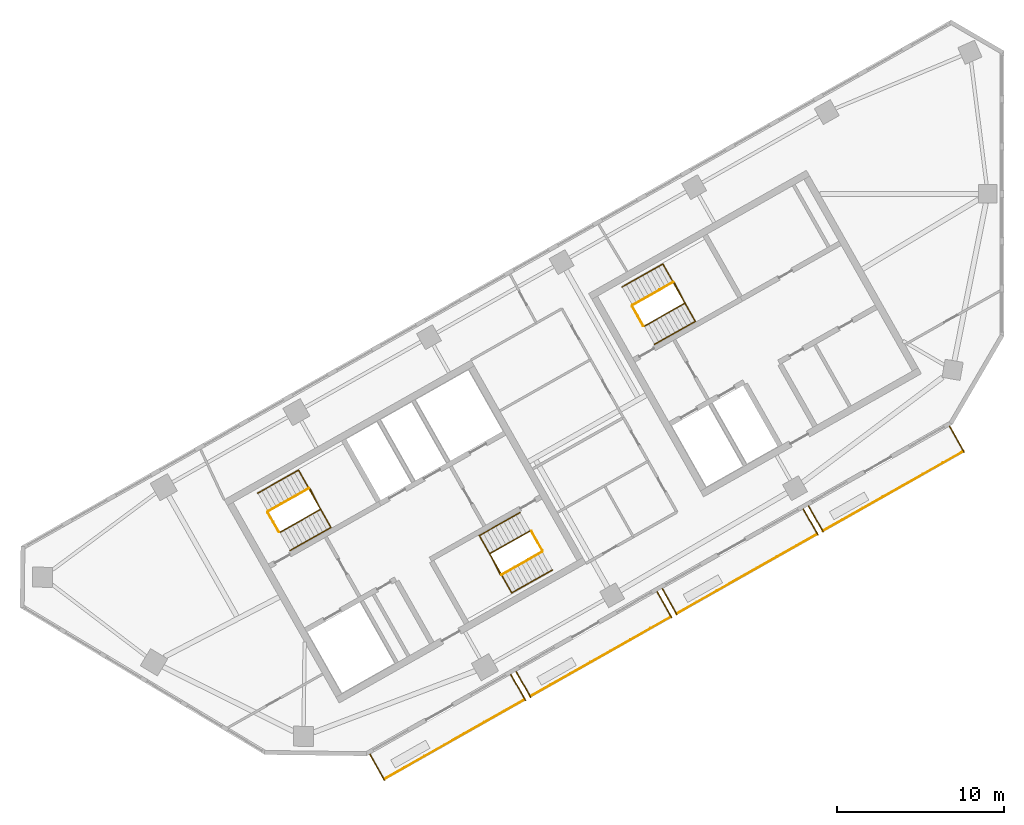
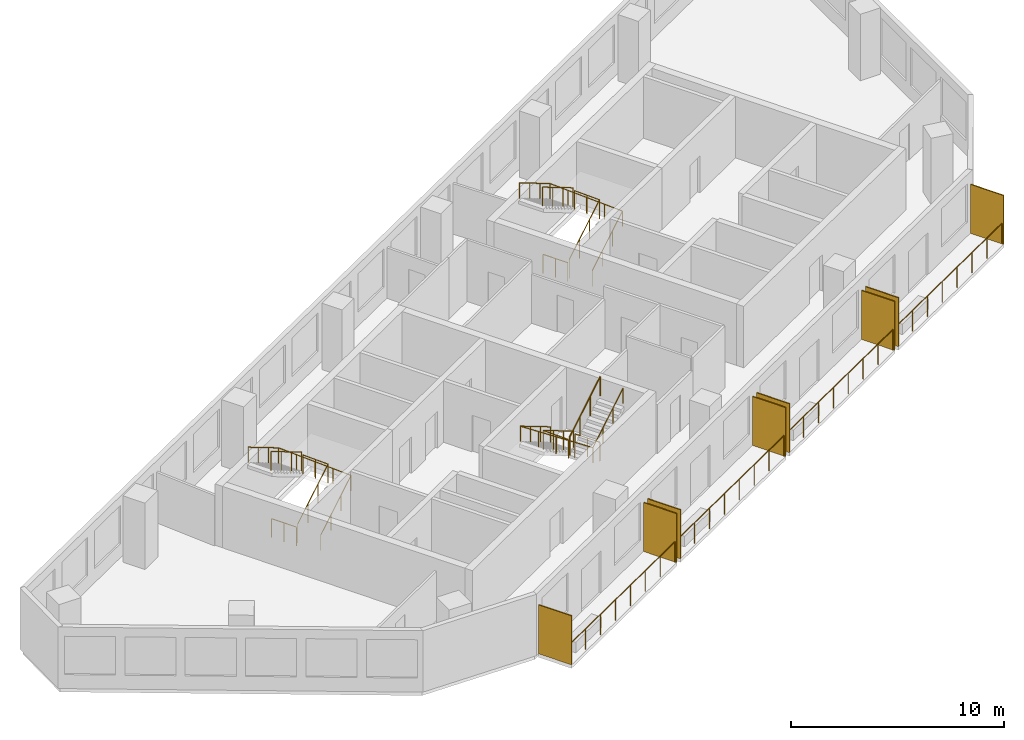
# One storey, part 6 of 7: 16 railings, 8 shading devices.
"""IFC4 building model written with IfcOpenShell, lengths in metres."""

from ifc_helpers import new_model, si_unit, direction, frame, origin, origin_2d, place, context, subcontext, project, spatial, rectangle, circle, extrude, material, layer, layer_set, type_object, element, save


model = new_model("IFC4")

# Units and contexts
model_context = context("Model", 3, precision=1e-05, world=origin(), true_north=direction((0.0, 1.0)))
body_context = subcontext(model_context, "Body", "Model", "MODEL_VIEW")
ifc_project = project(units=[si_unit("LENGTHUNIT", "METRE"), si_unit("AREAUNIT", "SQUARE_METRE"), si_unit("VOLUMEUNIT", "CUBIC_METRE"), si_unit("PLANEANGLEUNIT", "RADIAN"), si_unit("MASSUNIT", "GRAM", prefix="KILO")], contexts=[model_context])

# Site, building, storey
site_placement = place(None, origin())
site = spatial("IfcSite", under=ifc_project, at=site_placement, CompositionType="ELEMENT")
building_placement = place(site_placement, origin())
building = spatial("IfcBuilding", under=site, at=building_placement, Name="Binnacle Exchange Tower", CompositionType="ELEMENT")
storey_placement = place(building_placement, frame((0.0, 0.0, 266.5)))
storey = spatial("IfcBuildingStorey", under=building, at=storey_placement, Name="L59", CompositionType="ELEMENT", Elevation=266.5)

# Railings
ifc_material_1 = material(Name="Bronze anodised aluminium frame", Category="aluminium")
railing_type_1 = type_object("IfcRailingType", Name="GUARD 1200", PredefinedType="GUARDRAIL", material=ifc_material_1)
for number, where, name in (
    (1, (-37.006591796875, 24.94287109375, 0.0), "Balcony guard H07-B00 L59"),
    (2, (-28.24365234375, 29.900634765625, 0.0), "Balcony guard H07-B01 L59"),
):
    element("IfcRailing", number, at=place(storey_placement, frame(where)), inside=storey, type_object=railing_type_1, Name=name, PredefinedType="GUARDRAIL", context=body_context, shape_type="SweptSolid", body=[
        extrude(circle(Radius=0.02392578125, at=origin_2d()), frame((0.0, 0.0, 1.17578125), z_axis=(0.870359171481, 0.492417417055, 0.0), x_axis=(-0.492417417055, 0.870359171481, 0.0)), (0.0, 0.0, 1.0), 9.648193359375),
        extrude(circle(Radius=0.02099609375, at=origin_2d()), origin(), (0.0, 0.0, 1.0), 1.15185546875),
        extrude(circle(Radius=0.02099609375, at=origin_2d()), frame((1.19970703125, 0.6787109375, 0.0)), (0.0, 0.0, 1.0), 1.15185546875),
        extrude(circle(Radius=0.02099609375, at=origin_2d()), frame((2.399169921875, 1.357421875, 0.0)), (0.0, 0.0, 1.0), 1.15185546875),
        extrude(circle(Radius=0.02099609375, at=origin_2d()), frame((3.598876953125, 2.0361328125, 0.0)), (0.0, 0.0, 1.0), 1.15185546875),
        extrude(circle(Radius=0.02099609375, at=origin_2d()), frame((4.798583984375, 2.71484375, 0.0)), (0.0, 0.0, 1.0), 1.15185546875),
        extrude(circle(Radius=0.02099609375, at=origin_2d()), frame((5.998291015625, 3.3935546875, 0.0)), (0.0, 0.0, 1.0), 1.15185546875),
        extrude(circle(Radius=0.02099609375, at=origin_2d()), frame((7.19775390625, 4.072265625, 0.0)), (0.0, 0.0, 1.0), 1.15185546875),
        extrude(circle(Radius=0.02099609375, at=origin_2d()), frame((8.3974609375, 4.7509765625, 0.0)), (0.0, 0.0, 1.0), 1.15185546875),
    ])
railing_1_placement = place(storey_placement, frame((-19.480712890625, 34.8583984375, 0.0)))
element("IfcRailing", 3, at=railing_1_placement, inside=storey, type_object=railing_type_1, Name="Balcony guard H07-B02 L59", PredefinedType="GUARDRAIL", context=body_context, shape_type="SweptSolid", body=[
    extrude(circle(Radius=0.02392578125, at=origin_2d()), frame((0.0, 0.0, 1.17578125), z_axis=(0.870342190373, 0.492447430349, 0.0), x_axis=(-0.492447430349, 0.870342190373, 0.0)), (0.0, 0.0, 1.0), 9.648193359375),
    extrude(circle(Radius=0.02099609375, at=origin_2d()), origin(), (0.0, 0.0, 1.0), 1.15185546875),
    extrude(circle(Radius=0.02099609375, at=origin_2d()), frame((1.19970703125, 0.6787109375, 0.0)), (0.0, 0.0, 1.0), 1.15185546875),
    extrude(circle(Radius=0.02099609375, at=origin_2d()), frame((2.399169921875, 1.357421875, 0.0)), (0.0, 0.0, 1.0), 1.15185546875),
    extrude(circle(Radius=0.02099609375, at=origin_2d()), frame((3.598876953125, 2.0361328125, 0.0)), (0.0, 0.0, 1.0), 1.15185546875),
    extrude(circle(Radius=0.02099609375, at=origin_2d()), frame((4.79833984375, 2.715087890625, 0.0)), (0.0, 0.0, 1.0), 1.15185546875),
    extrude(circle(Radius=0.02099609375, at=origin_2d()), frame((5.998046875, 3.393798828125, 0.0)), (0.0, 0.0, 1.0), 1.15185546875),
    extrude(circle(Radius=0.02099609375, at=origin_2d()), frame((7.197509765625, 4.072509765625, 0.0)), (0.0, 0.0, 1.0), 1.15185546875),
    extrude(circle(Radius=0.02099609375, at=origin_2d()), frame((8.397216796875, 4.751220703125, 0.0)), (0.0, 0.0, 1.0), 1.15185546875),
])
railing_2_placement = place(storey_placement, frame((-10.7177734375, 39.81640625, 0.0)))
element("IfcRailing", 4, at=railing_2_placement, inside=storey, type_object=railing_type_1, Name="Balcony guard H07-B03 L59", PredefinedType="GUARDRAIL", context=body_context, shape_type="SweptSolid", body=[
    extrude(circle(Radius=0.02392578125, at=origin_2d()), frame((0.0, 0.0, 1.17578125), z_axis=(0.870353035673, 0.492428262079, 0.0), x_axis=(-0.492428262079, 0.870353035673, 0.0)), (0.0, 0.0, 1.0), 9.64794921875),
    extrude(circle(Radius=0.02099609375, at=origin_2d()), origin(), (0.0, 0.0, 1.0), 1.15185546875),
    extrude(circle(Radius=0.02099609375, at=origin_2d()), frame((1.19970703125, 0.6787109375, 0.0)), (0.0, 0.0, 1.0), 1.15185546875),
    extrude(circle(Radius=0.02099609375, at=origin_2d()), frame((2.399169921875, 1.357421875, 0.0)), (0.0, 0.0, 1.0), 1.15185546875),
    extrude(circle(Radius=0.02099609375, at=origin_2d()), frame((3.598876953125, 2.0361328125, 0.0)), (0.0, 0.0, 1.0), 1.15185546875),
    extrude(circle(Radius=0.02099609375, at=origin_2d()), frame((4.79833984375, 2.71484375, 0.0)), (0.0, 0.0, 1.0), 1.15185546875),
    extrude(circle(Radius=0.02099609375, at=origin_2d()), frame((5.998046875, 3.3935546875, 0.0)), (0.0, 0.0, 1.0), 1.15185546875),
    extrude(circle(Radius=0.02099609375, at=origin_2d()), frame((7.197509765625, 4.072265625, 0.0)), (0.0, 0.0, 1.0), 1.15185546875),
    extrude(circle(Radius=0.02099609375, at=origin_2d()), frame((8.397216796875, 4.7509765625, 0.0)), (0.0, 0.0, 1.0), 1.15185546875),
])

# Shading devices
ifc_material_2 = material(Name="Bronze aluminium louvre", Category="aluminium")
ifc_layer = layer(ifc_material_2, 0.06005859375)
ifc_layer_set = layer_set([ifc_layer], Name="PLANTED SCREEN 60x2800")
shading_device_type = type_object("IfcShadingDeviceType", Name="PLANTED SCREEN 60x2800", PredefinedType="USERDEFINED", material=ifc_layer_set)
for number, where, z_axis, x_axis, name in (
    (5, (-37.436279296875, 25.641845703125, 0.0), (0.0, 0.0, 1.0), (0.87035569594, 0.492423560103, 0.0), "Planted screen H07-B00a L59"),
    (6, (-28.98681640625, 30.42236328125, 0.0), (0.0, 0.0, 1.0), (0.87035569594, 0.492423560103, 0.0), "Planted screen H07-B00b L59"),
    (7, (-28.673583984375, 30.599609375, 0.0), (0.0, 0.0, 1.0), (0.87035569594, 0.492423560103, 0.0), "Planted screen H07-B01a L59"),
    (8, (-20.223876953125, 35.380126953125, 0.0), (0.0, 0.0, 1.0), (0.87035569594, 0.492423560103, 0.0), "Planted screen H07-B01b L59"),
    (9, (-19.91064453125, 35.5576171875, 0.0), (0.0, 0.0, 1.0), (0.87035569594, 0.492423560103, 0.0), "Planted screen H07-B02a L59"),
    (10, (-11.461181640625, 40.337890625, 0.0), (0.0, 0.0, 1.0), (0.87035569594, 0.492423560103, 0.0), "Planted screen H07-B02b L59"),
    (11, (-11.147705078125, 40.51513671875, 0.0), (0.0, 0.0, 1.0), (0.87035569594, 0.492423560103, 0.0), "Planted screen H07-B03a L59"),
    (12, (-2.697998046875, 45.2958984375, 0.0), (0.0, 0.0, 1.0), (0.87035569594, 0.492423560103, 0.0), "Planted screen H07-B03b L59"),
):
    element("IfcShadingDevice", number, at=place(storey_placement, frame(where, z_axis=z_axis, x_axis=x_axis)), inside=storey, type_object=shading_device_type, Name=name, ObjectType="SCREEN", PredefinedType="USERDEFINED", context=body_context, shape_type="SweptSolid", body=[
        extrude(rectangle(XDim=0.06005859375, YDim=1.800048828125, at=origin_2d()), origin(), (0.0, 0.0, 1.0), 2.800048828125),
    ])

# Railings
ifc_material_3 = material(Name="Steel guard rail", Category="steel")
railing_type_2 = type_object("IfcRailingType", Name="STAIR GUARD 1100", PredefinedType="GUARDRAIL", material=ifc_material_3)
railing_3_placement = place(storey_placement, frame((-43.26171875, 39.71728515625, 0.172607421875)))
element("IfcRailing", 13, at=railing_3_placement, inside=storey, type_object=railing_type_2, Name="L59 STA1 stair guard 1", PredefinedType="GUARDRAIL", context=body_context, shape_type="SweptSolid", body=[
    extrude(circle(Radius=0.02392578125, at=origin_2d()), frame((0.0, 0.0, 1.076171875), z_axis=(0.740737961854, 0.419123222656, 0.525017138862), x_axis=(-0.492453686477, 0.870338650569, 0.0)), (0.0, 0.0, 1.0), 3.2900390625),
    extrude(circle(Radius=0.02392578125, at=origin_2d()), frame((2.43701171875, 1.37890625, 2.80322265625), z_axis=(-0.461100321709, 0.887348011391, 0.0), x_axis=(-0.887348011391, -0.461100321709, 0.0)), (0.0, 0.0, 1.0), 1.40087890625),
    extrude(circle(Radius=0.02099609375, at=origin_2d()), origin(), (0.0, 0.0, 1.0), 1.052001953125),
    extrude(circle(Radius=0.02099609375, at=origin_2d()), frame((0.812255859375, 0.459716796875, 0.57568359375)), (0.0, 0.0, 1.0), 1.052001953125),
    extrude(circle(Radius=0.02099609375, at=origin_2d()), frame((1.624755859375, 0.919189453125, 1.151611328125)), (0.0, 0.0, 1.0), 1.052001953125),
    extrude(circle(Radius=0.02099609375, at=origin_2d()), frame((2.43701171875, 1.37890625, 1.727294921875)), (0.0, 0.0, 1.0), 1.052001953125),
    extrude(circle(Radius=0.02099609375, at=origin_2d()), frame((2.114013671875, 2.00048828125, 1.727294921875)), (0.0, 0.0, 1.0), 1.052001953125),
    extrude(circle(Radius=0.02099609375, at=origin_2d()), frame((1.791015625, 2.6220703125, 1.727294921875)), (0.0, 0.0, 1.0), 1.052001953125),
])
railing_4_placement = place(storey_placement, frame((-41.538818359375, 42.358154296875, 2.07275390625)))
element("IfcRailing", 14, at=railing_4_placement, inside=storey, type_object=railing_type_2, Name="L59 STA1 stair guard 2", PredefinedType="GUARDRAIL", context=body_context, shape_type="SweptSolid", body=[
    extrude(circle(Radius=0.02392578125, at=origin_2d()), frame((0.0, 0.0, 1.076171875), z_axis=(-0.740737961854, -0.419123222656, 0.525017138862), x_axis=(0.492453686477, -0.870338650569, 0.0)), (0.0, 0.0, 1.0), 3.2900390625),
    extrude(circle(Radius=0.02099609375, at=origin_2d()), origin(), (0.0, 0.0, 1.0), 1.052001953125),
    extrude(circle(Radius=0.02099609375, at=origin_2d()), frame((-0.812255859375, -0.459716796875, 0.57568359375)), (0.0, 0.0, 1.0), 1.052001953125),
    extrude(circle(Radius=0.02099609375, at=origin_2d()), frame((-1.624755859375, -0.919189453125, 1.151611328125)), (0.0, 0.0, 1.0), 1.052001953125),
    extrude(circle(Radius=0.02099609375, at=origin_2d()), frame((-2.43701171875, -1.37890625, 1.727294921875)), (0.0, 0.0, 1.0), 1.052001953125),
])
railing_5_placement = place(storey_placement, frame((-43.329833984375, 39.736328125, 0.0)))
element("IfcRailing", 15, at=railing_5_placement, inside=storey, type_object=railing_type_2, Name="L59 STA1 stair guard 3", PredefinedType="GUARDRAIL", context=body_context, shape_type="SweptSolid", body=[
    extrude(circle(Radius=0.02392578125, at=origin_2d()), frame((0.0, 0.0, 1.076171875), z_axis=(-0.4924922531, 0.870316827734, 0.0), x_axis=(-0.870316827734, -0.4924922531, 0.0)), (0.0, 0.0, 1.0), 1.349853515625),
    extrude(circle(Radius=0.02099609375, at=origin_2d()), origin(), (0.0, 0.0, 1.0), 1.052001953125),
    extrude(circle(Radius=0.02099609375, at=origin_2d()), frame((-0.33251953125, 0.58740234375, 0.0)), (0.0, 0.0, 1.0), 1.052001953125),
    extrude(circle(Radius=0.02099609375, at=origin_2d()), frame((-0.664794921875, 1.1748046875, 0.0)), (0.0, 0.0, 1.0), 1.052001953125),
])
railing_6_placement = place(storey_placement, frame((-28.265380859375, 39.814453125, 0.172607421875)))
element("IfcRailing", 16, at=railing_6_placement, inside=storey, type_object=railing_type_2, Name="L59 STA2 stair guard 1", PredefinedType="GUARDRAIL", context=body_context, shape_type="SweptSolid", body=[
    extrude(circle(Radius=0.02392578125, at=origin_2d()), frame((0.0, 0.0, 1.076171875), z_axis=(-0.740760999345, -0.419062048017, 0.525033467278), x_axis=(0.492387636113, -0.870376019777, 0.0)), (0.0, 0.0, 1.0), 3.289794921875),
    extrude(circle(Radius=0.02392578125, at=origin_2d()), frame((-2.43701171875, -1.378662109375, 2.80322265625), z_axis=(0.460963092712, -0.887419307406, 0.0), x_axis=(0.887419307406, 0.460963092712, 0.0)), (0.0, 0.0, 1.0), 1.40087890625),
    extrude(circle(Radius=0.02099609375, at=origin_2d()), origin(), (0.0, 0.0, 1.0), 1.052001953125),
    extrude(circle(Radius=0.02099609375, at=origin_2d()), frame((-0.812255859375, -0.45947265625, 0.57568359375)), (0.0, 0.0, 1.0), 1.052001953125),
    extrude(circle(Radius=0.02099609375, at=origin_2d()), frame((-1.624755859375, -0.919189453125, 1.151611328125)), (0.0, 0.0, 1.0), 1.052001953125),
    extrude(circle(Radius=0.02099609375, at=origin_2d()), frame((-2.43701171875, -1.378662109375, 1.727294921875)), (0.0, 0.0, 1.0), 1.052001953125),
    extrude(circle(Radius=0.02099609375, at=origin_2d()), frame((-2.1142578125, -2.000244140625, 1.727294921875)), (0.0, 0.0, 1.0), 1.052001953125),
    extrude(circle(Radius=0.02099609375, at=origin_2d()), frame((-1.791259765625, -2.621826171875, 1.727294921875)), (0.0, 0.0, 1.0), 1.052001953125),
])
railing_7_placement = place(storey_placement, frame((-29.988525390625, 37.173583984375, 2.07275390625)))
element("IfcRailing", 17, at=railing_7_placement, inside=storey, type_object=railing_type_2, Name="L59 STA2 stair guard 2", PredefinedType="GUARDRAIL", context=body_context, shape_type="SweptSolid", body=[
    extrude(circle(Radius=0.02392578125, at=origin_2d()), frame((0.0, 0.0, 1.076171875), z_axis=(0.740737961854, 0.419123222656, 0.525017138862), x_axis=(-0.492453686477, 0.870338650569, 0.0)), (0.0, 0.0, 1.0), 3.2900390625),
    extrude(circle(Radius=0.02099609375, at=origin_2d()), origin(), (0.0, 0.0, 1.0), 1.052001953125),
    extrude(circle(Radius=0.02099609375, at=origin_2d()), frame((0.812255859375, 0.459716796875, 0.57568359375)), (0.0, 0.0, 1.0), 1.052001953125),
    extrude(circle(Radius=0.02099609375, at=origin_2d()), frame((1.624755859375, 0.919189453125, 1.151611328125)), (0.0, 0.0, 1.0), 1.052001953125),
    extrude(circle(Radius=0.02099609375, at=origin_2d()), frame((2.43701171875, 1.37890625, 1.727294921875)), (0.0, 0.0, 1.0), 1.052001953125),
])
railing_8_placement = place(storey_placement, frame((-28.197265625, 39.795654296875, 0.0)))
element("IfcRailing", 18, at=railing_8_placement, inside=storey, type_object=railing_type_2, Name="L59 STA2 stair guard 3", PredefinedType="GUARDRAIL", context=body_context, shape_type="SweptSolid", body=[
    extrude(circle(Radius=0.02392578125, at=origin_2d()), frame((0.0, 0.0, 1.076171875), z_axis=(0.49241474071, -0.870360685654, 0.0), x_axis=(0.870360685654, 0.49241474071, 0.0)), (0.0, 0.0, 1.0), 1.35009765625),
    extrude(circle(Radius=0.02099609375, at=origin_2d()), origin(), (0.0, 0.0, 1.0), 1.052001953125),
    extrude(circle(Radius=0.02099609375, at=origin_2d()), frame((0.33251953125, -0.58740234375, 0.0)), (0.0, 0.0, 1.0), 1.052001953125),
    extrude(circle(Radius=0.02099609375, at=origin_2d()), frame((0.664794921875, -1.175048828125, 0.0)), (0.0, 0.0, 1.0), 1.052001953125),
])
railing_9_placement = place(storey_placement, frame((-21.423828125, 52.07275390625, 0.172607421875)))
element("IfcRailing", 19, at=railing_9_placement, inside=storey, type_object=railing_type_2, Name="L59 STC1 stair guard 1", PredefinedType="GUARDRAIL", context=body_context, shape_type="SweptSolid", body=[
    extrude(circle(Radius=0.02392578125, at=origin_2d()), frame((0.0, 0.0, 1.076171875), z_axis=(0.740760999345, 0.419062048017, 0.525033467278), x_axis=(-0.492387636113, 0.870376019777, 0.0)), (0.0, 0.0, 1.0), 3.289794921875),
    extrude(circle(Radius=0.02392578125, at=origin_2d()), frame((2.43701171875, 1.378662109375, 2.80322265625), z_axis=(-0.460963092712, 0.887419307406, 0.0), x_axis=(-0.887419307406, -0.460963092712, 0.0)), (0.0, 0.0, 1.0), 1.40087890625),
    extrude(circle(Radius=0.02099609375, at=origin_2d()), origin(), (0.0, 0.0, 1.0), 1.052001953125),
    extrude(circle(Radius=0.02099609375, at=origin_2d()), frame((0.812255859375, 0.45947265625, 0.57568359375)), (0.0, 0.0, 1.0), 1.052001953125),
    extrude(circle(Radius=0.02099609375, at=origin_2d()), frame((1.624755859375, 0.919189453125, 1.151611328125)), (0.0, 0.0, 1.0), 1.052001953125),
    extrude(circle(Radius=0.02099609375, at=origin_2d()), frame((2.43701171875, 1.378662109375, 1.727294921875)), (0.0, 0.0, 1.0), 1.052001953125),
    extrude(circle(Radius=0.02099609375, at=origin_2d()), frame((2.1142578125, 2.000244140625, 1.727294921875)), (0.0, 0.0, 1.0), 1.052001953125),
    extrude(circle(Radius=0.02099609375, at=origin_2d()), frame((1.791259765625, 2.621826171875, 1.727294921875)), (0.0, 0.0, 1.0), 1.052001953125),
])
railing_10_placement = place(storey_placement, frame((-19.70068359375, 54.71337890625, 2.07275390625)))
element("IfcRailing", 20, at=railing_10_placement, inside=storey, type_object=railing_type_2, Name="L59 STC1 stair guard 2", PredefinedType="GUARDRAIL", context=body_context, shape_type="SweptSolid", body=[
    extrude(circle(Radius=0.02392578125, at=origin_2d()), frame((0.0, 0.0, 1.076171875), z_axis=(-0.740760999345, -0.419062048017, 0.525033467278), x_axis=(0.492387636113, -0.870376019777, 0.0)), (0.0, 0.0, 1.0), 3.289794921875),
    extrude(circle(Radius=0.02099609375, at=origin_2d()), origin(), (0.0, 0.0, 1.0), 1.052001953125),
    extrude(circle(Radius=0.02099609375, at=origin_2d()), frame((-0.812255859375, -0.45947265625, 0.57568359375)), (0.0, 0.0, 1.0), 1.052001953125),
    extrude(circle(Radius=0.02099609375, at=origin_2d()), frame((-1.624755859375, -0.919189453125, 1.151611328125)), (0.0, 0.0, 1.0), 1.052001953125),
    extrude(circle(Radius=0.02099609375, at=origin_2d()), frame((-2.43701171875, -1.378662109375, 1.727294921875)), (0.0, 0.0, 1.0), 1.052001953125),
])
railing_11_placement = place(storey_placement, frame((-21.491943359375, 52.091552734375, 0.0)))
element("IfcRailing", 21, at=railing_11_placement, inside=storey, type_object=railing_type_2, Name="L59 STC1 stair guard 3", PredefinedType="GUARDRAIL", context=body_context, shape_type="SweptSolid", body=[
    extrude(circle(Radius=0.02392578125, at=origin_2d()), frame((0.0, 0.0, 1.076171875), z_axis=(-0.49241474071, 0.870360685654, 0.0), x_axis=(-0.870360685654, -0.49241474071, 0.0)), (0.0, 0.0, 1.0), 1.35009765625),
    extrude(circle(Radius=0.02099609375, at=origin_2d()), origin(), (0.0, 0.0, 1.0), 1.052001953125),
    extrude(circle(Radius=0.02099609375, at=origin_2d()), frame((-0.33251953125, 0.58740234375, 0.0)), (0.0, 0.0, 1.0), 1.052001953125),
    extrude(circle(Radius=0.02099609375, at=origin_2d()), frame((-0.664794921875, 1.175048828125, 0.0)), (0.0, 0.0, 1.0), 1.052001953125),
])
ifc_material_4 = material(Name="Steel handrail", Category="steel")
railing_type_3 = type_object("IfcRailingType", Name="STAIR HANDRAIL 900", PredefinedType="HANDRAIL", material=ifc_material_4)
railing_12_placement = place(storey_placement, frame((-42.646240234375, 38.62939453125, 0.172607421875)))
element("IfcRailing", 22, at=railing_12_placement, inside=storey, type_object=railing_type_3, Name="L59 STA1 stair handrail 1", PredefinedType="HANDRAIL", context=body_context, shape_type="SweptSolid", body=[
    extrude(circle(Radius=0.02392578125, at=origin_2d()), frame((0.0, 0.0, 0.8759765625), z_axis=(0.740760999345, 0.419062048017, 0.525033467278), x_axis=(-0.492387636113, 0.870376019777, 0.0)), (0.0, 0.0, 1.0), 3.289794921875),
    extrude(circle(Radius=0.02392578125, at=origin_2d()), frame((2.43701171875, 1.378662109375, 2.60302734375), z_axis=(-0.491942846455, 0.869529203437, 0.043717275673), x_axis=(-0.870361318571, -0.492413622004, 0.0)), (0.0, 0.0, 1.0), 3.953857421875),
    extrude(circle(Radius=0.02392578125, at=origin_2d()), frame((0.491943359375, 4.816650390625, 2.77587890625), z_axis=(-0.740760999345, -0.419062048017, 0.525033467278), x_axis=(0.492387636113, -0.870376019777, 0.0)), (0.0, 0.0, 1.0), 3.289794921875),
    extrude(circle(Radius=0.02099609375, at=origin_2d()), origin(), (0.0, 0.0, 1.0), 0.851806640625),
    extrude(circle(Radius=0.02099609375, at=origin_2d()), frame((0.812255859375, 0.45947265625, 0.57568359375)), (0.0, 0.0, 1.0), 0.851806640625),
    extrude(circle(Radius=0.02099609375, at=origin_2d()), frame((1.624755859375, 0.919189453125, 1.151611328125)), (0.0, 0.0, 1.0), 0.851806640625),
    extrude(circle(Radius=0.02099609375, at=origin_2d()), frame((2.43701171875, 1.378662109375, 1.727294921875)), (0.0, 0.0, 1.0), 0.851806640625),
    extrude(circle(Radius=0.02099609375, at=origin_2d()), frame((1.95068359375, 2.23828125, 1.7705078125)), (0.0, 0.0, 1.0), 0.851806640625),
    extrude(circle(Radius=0.02099609375, at=origin_2d()), frame((1.46435546875, 3.09765625, 1.813720703125)), (0.0, 0.0, 1.0), 0.851806640625),
    extrude(circle(Radius=0.02099609375, at=origin_2d()), frame((0.978271484375, 3.95703125, 1.85693359375)), (0.0, 0.0, 1.0), 0.851806640625),
    extrude(circle(Radius=0.02099609375, at=origin_2d()), frame((0.491943359375, 4.816650390625, 1.900146484375)), (0.0, 0.0, 1.0), 0.851806640625),
    extrude(circle(Radius=0.02099609375, at=origin_2d()), frame((-0.3203125, 4.357177734375, 2.475830078125)), (0.0, 0.0, 1.0), 0.851806640625),
    extrude(circle(Radius=0.02099609375, at=origin_2d()), frame((-1.1328125, 3.8974609375, 3.0517578125)), (0.0, 0.0, 1.0), 0.851806640625),
    extrude(circle(Radius=0.02099609375, at=origin_2d()), frame((-1.945068359375, 3.43798828125, 3.62744140625)), (0.0, 0.0, 1.0), 0.851806640625),
])
railing_13_placement = place(storey_placement, frame((-28.880859375, 40.90234375, 0.172607421875)))
element("IfcRailing", 23, at=railing_13_placement, inside=storey, type_object=railing_type_3, Name="L59 STA2 stair handrail 1", PredefinedType="HANDRAIL", context=body_context, shape_type="SweptSolid", body=[
    extrude(circle(Radius=0.02392578125, at=origin_2d()), frame((0.0, 0.0, 0.8759765625), z_axis=(-0.740760999345, -0.419062048017, 0.525033467278), x_axis=(0.492387636113, -0.870376019777, 0.0)), (0.0, 0.0, 1.0), 3.289794921875),
    extrude(circle(Radius=0.02392578125, at=origin_2d()), frame((-2.43701171875, -1.378662109375, 2.60302734375), z_axis=(0.491942846455, -0.869529203437, 0.043717275673), x_axis=(0.870361318571, 0.492413622004, 0.0)), (0.0, 0.0, 1.0), 3.953857421875),
    extrude(circle(Radius=0.02392578125, at=origin_2d()), frame((-0.491943359375, -4.816650390625, 2.77587890625), z_axis=(0.740737961854, 0.419123222656, 0.525017138862), x_axis=(-0.492453686477, 0.870338650569, 0.0)), (0.0, 0.0, 1.0), 3.2900390625),
    extrude(circle(Radius=0.02099609375, at=origin_2d()), origin(), (0.0, 0.0, 1.0), 0.851806640625),
    extrude(circle(Radius=0.02099609375, at=origin_2d()), frame((-0.812255859375, -0.45947265625, 0.57568359375)), (0.0, 0.0, 1.0), 0.851806640625),
    extrude(circle(Radius=0.02099609375, at=origin_2d()), frame((-1.624755859375, -0.919189453125, 1.151611328125)), (0.0, 0.0, 1.0), 0.851806640625),
    extrude(circle(Radius=0.02099609375, at=origin_2d()), frame((-2.43701171875, -1.378662109375, 1.727294921875)), (0.0, 0.0, 1.0), 0.851806640625),
    extrude(circle(Radius=0.02099609375, at=origin_2d()), frame((-1.95068359375, -2.23828125, 1.7705078125)), (0.0, 0.0, 1.0), 0.851806640625),
    extrude(circle(Radius=0.02099609375, at=origin_2d()), frame((-1.46435546875, -3.09765625, 1.813720703125)), (0.0, 0.0, 1.0), 0.851806640625),
    extrude(circle(Radius=0.02099609375, at=origin_2d()), frame((-0.978271484375, -3.95703125, 1.85693359375)), (0.0, 0.0, 1.0), 0.851806640625),
    extrude(circle(Radius=0.02099609375, at=origin_2d()), frame((-0.491943359375, -4.816650390625, 1.900146484375)), (0.0, 0.0, 1.0), 0.851806640625),
    extrude(circle(Radius=0.02099609375, at=origin_2d()), frame((0.3203125, -4.35693359375, 2.475830078125)), (0.0, 0.0, 1.0), 0.851806640625),
    extrude(circle(Radius=0.02099609375, at=origin_2d()), frame((1.1328125, -3.8974609375, 3.0517578125)), (0.0, 0.0, 1.0), 0.851806640625),
    extrude(circle(Radius=0.02099609375, at=origin_2d()), frame((1.945068359375, -3.437744140625, 3.62744140625)), (0.0, 0.0, 1.0), 0.851806640625),
])
railing_14_placement = place(storey_placement, frame((-20.808349609375, 50.984619140625, 0.172607421875)))
element("IfcRailing", 24, at=railing_14_placement, inside=storey, type_object=railing_type_3, Name="L59 STC1 stair handrail 1", PredefinedType="HANDRAIL", context=body_context, shape_type="SweptSolid", body=[
    extrude(circle(Radius=0.02392578125, at=origin_2d()), frame((0.0, 0.0, 0.8759765625), z_axis=(0.740737961854, 0.419123222656, 0.525017138862), x_axis=(-0.492453686477, 0.870338650569, 0.0)), (0.0, 0.0, 1.0), 3.2900390625),
    extrude(circle(Radius=0.02392578125, at=origin_2d()), frame((2.43701171875, 1.37890625, 2.60302734375), z_axis=(-0.491969260701, 0.869514140822, 0.043719623017), x_axis=(-0.87034633103, -0.492440112159, 0.0)), (0.0, 0.0, 1.0), 3.95361328125),
    extrude(circle(Radius=0.02392578125, at=origin_2d()), frame((0.491943359375, 4.816650390625, 2.77587890625), z_axis=(-0.740760999345, -0.419062048017, 0.525033467278), x_axis=(0.492387636113, -0.870376019777, 0.0)), (0.0, 0.0, 1.0), 3.289794921875),
    extrude(circle(Radius=0.02099609375, at=origin_2d()), origin(), (0.0, 0.0, 1.0), 0.851806640625),
    extrude(circle(Radius=0.02099609375, at=origin_2d()), frame((0.812255859375, 0.459716796875, 0.57568359375)), (0.0, 0.0, 1.0), 0.851806640625),
    extrude(circle(Radius=0.02099609375, at=origin_2d()), frame((1.624755859375, 0.919189453125, 1.151611328125)), (0.0, 0.0, 1.0), 0.851806640625),
    extrude(circle(Radius=0.02099609375, at=origin_2d()), frame((2.43701171875, 1.37890625, 1.727294921875)), (0.0, 0.0, 1.0), 0.851806640625),
    extrude(circle(Radius=0.02099609375, at=origin_2d()), frame((1.95068359375, 2.23828125, 1.7705078125)), (0.0, 0.0, 1.0), 0.851806640625),
    extrude(circle(Radius=0.02099609375, at=origin_2d()), frame((1.46435546875, 3.09765625, 1.813720703125)), (0.0, 0.0, 1.0), 0.851806640625),
    extrude(circle(Radius=0.02099609375, at=origin_2d()), frame((0.978271484375, 3.957275390625, 1.85693359375)), (0.0, 0.0, 1.0), 0.851806640625),
    extrude(circle(Radius=0.02099609375, at=origin_2d()), frame((0.491943359375, 4.816650390625, 1.900146484375)), (0.0, 0.0, 1.0), 0.851806640625),
    extrude(circle(Radius=0.02099609375, at=origin_2d()), frame((-0.3203125, 4.357177734375, 2.475830078125)), (0.0, 0.0, 1.0), 0.851806640625),
    extrude(circle(Radius=0.02099609375, at=origin_2d()), frame((-1.1328125, 3.8974609375, 3.0517578125)), (0.0, 0.0, 1.0), 0.851806640625),
    extrude(circle(Radius=0.02099609375, at=origin_2d()), frame((-1.945068359375, 3.43798828125, 3.62744140625)), (0.0, 0.0, 1.0), 0.851806640625),
])

save(model, "model.ifc")
